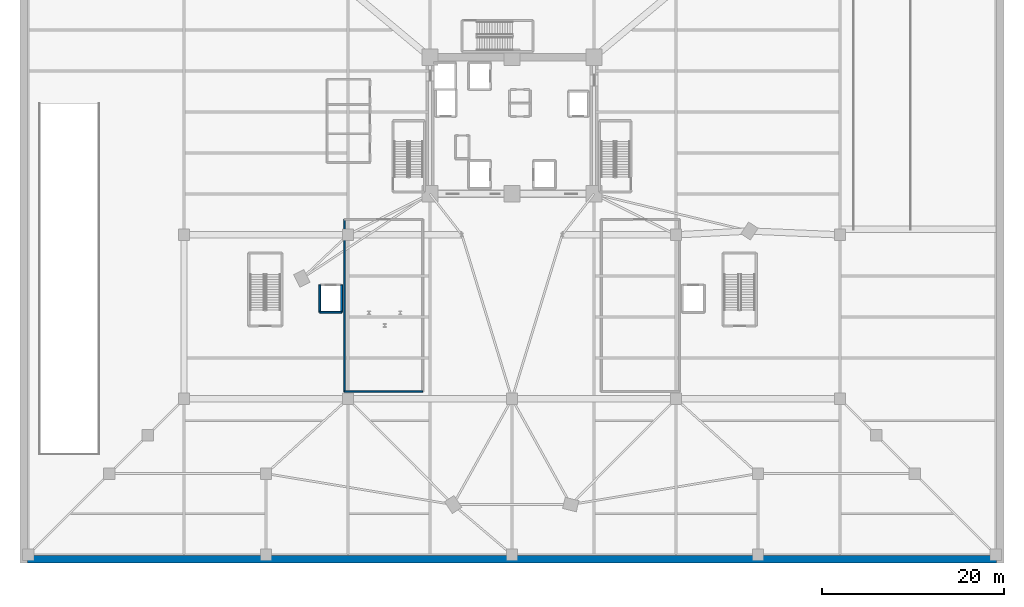
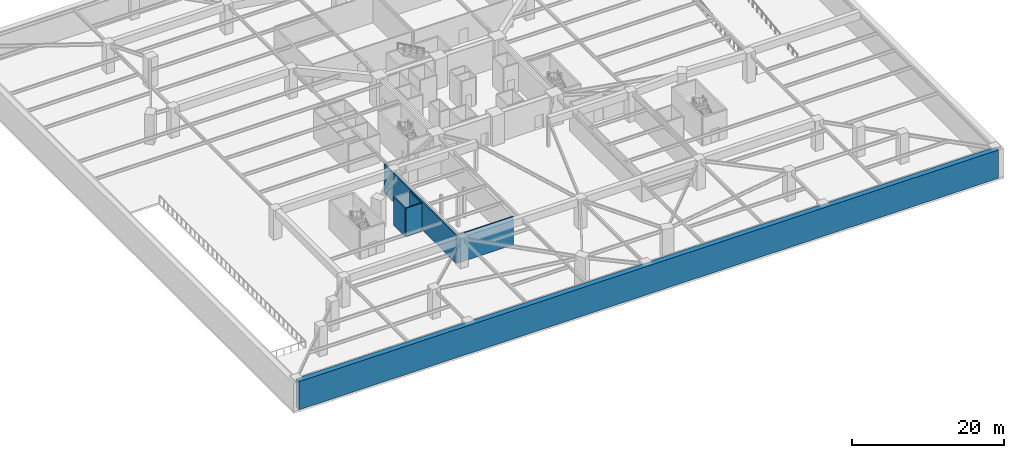
# One storey, part 9 of 20: 6 walls.
"""IFC4 building model written with IfcOpenShell, lengths in metres."""

from ifc_helpers import new_model, si_unit, direction, frame, frame_2d, origin, place, context, subcontext, project, spatial, rectangle, extrude, material, layer, layer_set, type_object, element, save


model = new_model("IFC4")

# Units and contexts
model_context = context("Model", 3, precision=1e-05, world=origin(), true_north=direction((0.0, 1.0)))
body_context = subcontext(model_context, "Body", "Model", "MODEL_VIEW")
ifc_project = project(units=[si_unit("LENGTHUNIT", "METRE"), si_unit("AREAUNIT", "SQUARE_METRE"), si_unit("VOLUMEUNIT", "CUBIC_METRE"), si_unit("PLANEANGLEUNIT", "RADIAN"), si_unit("MASSUNIT", "GRAM", prefix="KILO")], contexts=[model_context])

# Site, building, storey
site_placement = place(None, origin())
site = spatial("IfcSite", under=ifc_project, at=site_placement, CompositionType="ELEMENT")
building_placement = place(site_placement, origin())
building = spatial("IfcBuilding", under=site, at=building_placement, Name="Liaohun Quay Tower", CompositionType="ELEMENT")
storey_placement = place(building_placement, frame((0.0, 0.0, -4.800048828125)))
storey = spatial("IfcBuildingStorey", under=building, at=storey_placement, Name="B1", CompositionType="ELEMENT", Elevation=-4.800048828125)

# Walls
ifc_material_1 = material(Name="Autoclaved aerated concrete blockwork", Category="masonry")
ifc_layer_1 = layer(ifc_material_1, 0.179931640625, Name="Autoclaved aerated concrete blockwork", Category="masonry")
ifc_layer_set_1 = layer_set([ifc_layer_1], Name="Autoclaved aerated concrete blockwork")
wall_type_1 = type_object("IfcWallType", Name="WAL-PRT-COR", PredefinedType="PARTITIONING", material=ifc_layer_set_1)
wall_1_placement = place(storey_placement, frame((41.60009765625, 24.800048828125, 0.0), z_axis=(0.0, 0.0, 1.0), x_axis=(1.0, 0.0, 0.0)))
element("IfcWall", 1, at=wall_1_placement, inside=storey, type_object=wall_type_1, Name="B1 Interior Partition Wall 022", PredefinedType="PARTITIONING", context=body_context, shape_type="SweptSolid", body=[
    extrude(rectangle(XDim=8.599853515625, YDim=0.179931640625, at=frame_2d((4.2998046875, 0.0))), origin(), (0.0, 0.0, 1.0), 4.550048828125),
])
wall_2_placement = place(storey_placement, frame((41.60009765625, 24.800048828125, 0.0), z_axis=(0.0, 0.0, 1.0), x_axis=(0.0, 1.0, 0.0)))
element("IfcWall", 2, at=wall_2_placement, inside=storey, type_object=wall_type_1, Name="B1 Interior Partition Wall 023", PredefinedType="PARTITIONING", context=body_context, shape_type="SweptSolid", body=[
    extrude(rectangle(XDim=18.89990234375, YDim=0.179931640625, at=frame_2d((9.449951171875, 0.0))), origin(), (0.0, 0.0, 1.0), 4.550048828125),
])
ifc_material_2 = material(Name="Concrete C50", Category="concrete")
ifc_layer_2 = layer(ifc_material_2, 0.800048828125, Name="Concrete C50", Category="concrete")
ifc_layer_set_2 = layer_set([ifc_layer_2], Name="Concrete C50")
wall_type_2 = type_object("IfcWallType", Name="WAL-RET-B1", PredefinedType="USERDEFINED", material=ifc_layer_set_2)
wall_3_placement = place(storey_placement, frame((113.199951171875, 6.39990234375, 0.0), z_axis=(0.0, 0.0, 1.0), x_axis=(-1.0, 0.0, 0.0)))
element("IfcWall", 3, at=wall_3_placement, inside=storey, type_object=wall_type_2, Name="B1 Waterproof Retaining Wall S", ObjectType="RETAINING WALL", PredefinedType="USERDEFINED", context=body_context, shape_type="SweptSolid", body=[
    extrude(rectangle(XDim=106.39990234375, YDim=0.800048828125, at=frame_2d((53.199951171875, 0.0))), origin(), (0.0, 0.0, 1.0), 4.550048828125),
])
ifc_layer_3 = layer(ifc_material_2, 0.239990234375, Name="Concrete C50", Category="concrete")
ifc_layer_set_3 = layer_set([ifc_layer_3], Name="Concrete C50")
wall_type_3 = type_object("IfcWallType", Name="WAL-SHF-200", PredefinedType="SOLIDWALL", material=ifc_layer_set_3)
wall_4_placement = place(storey_placement, frame((38.89990234375, 33.5, 0.0), z_axis=(0.0, 0.0, 1.0), x_axis=(1.0, 0.0, 0.0)))
element("IfcWall", 4, at=wall_4_placement, inside=storey, type_object=wall_type_3, Name="B1 Lift PD-01 Hoistway Wall S", PredefinedType="SOLIDWALL", context=body_context, shape_type="SweptSolid", body=[
    extrude(rectangle(XDim=2.400146484375, YDim=0.199951171875, at=frame_2d((1.2001953125, 0.0))), origin(), (0.0, 0.0, 1.0), 4.550048828125),
])
for number, where, z_axis, x_axis, name in (
    (5, (41.300048828125, 33.5, 0.0), (0.0, 0.0, 1.0), (0.0, 1.0, 0.0), "B1 Lift PD-01 Hoistway Wall E"),
    (6, (38.89990234375, 36.5, 0.0), (0.0, 0.0, 1.0), (0.0, -1.0, 0.0), "B1 Lift PD-01 Hoistway Wall W"),
):
    element("IfcWall", number, at=place(storey_placement, frame(where, z_axis=z_axis, x_axis=x_axis)), inside=storey, type_object=wall_type_3, Name=name, PredefinedType="SOLIDWALL", context=body_context, shape_type="SweptSolid", body=[
        extrude(rectangle(XDim=3.0, YDim=0.199951171875, at=frame_2d((1.5, 0.0))), origin(), (0.0, 0.0, 1.0), 4.550048828125),
    ])

save(model, "model.ifc")
